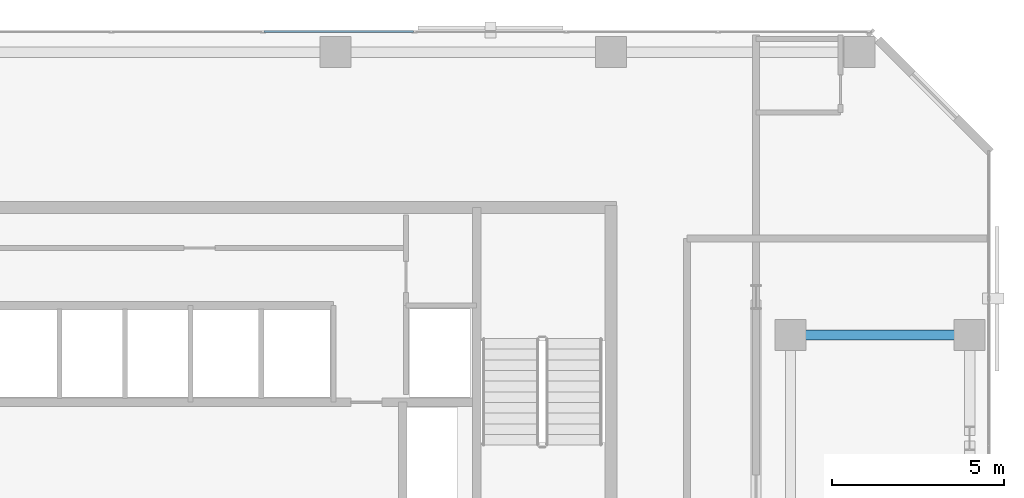
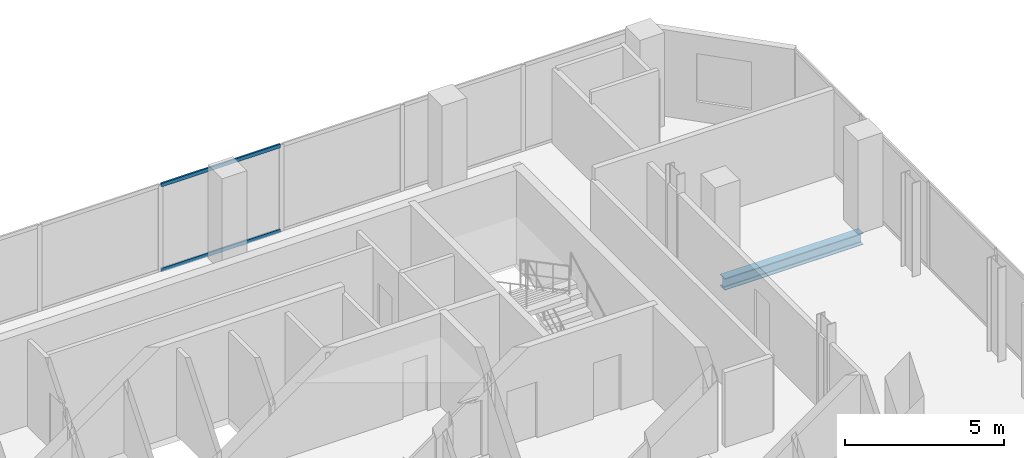
# One storey, part 23 of 33: 2 members, 1 beam, 1 element without a shape of its own.
"""IFC4 building model written with IfcOpenShell, lengths in metres."""

from ifc_helpers import new_model, si_unit, direction, frame, origin, origin_2d, place, context, subcontext, project, spatial, hollow_rectangle, i_section, extrude, material, layer, layer_set, material_profile, profile_set, type_object, element, aggregate, save


model = new_model("IFC4")

# Units and contexts
model_context = context("Model", 3, precision=1e-05, world=origin(), true_north=direction((0.0, 1.0)))
body_context = subcontext(model_context, "Body", "Model", "MODEL_VIEW")
ifc_project = project(units=[si_unit("LENGTHUNIT", "METRE"), si_unit("AREAUNIT", "SQUARE_METRE"), si_unit("VOLUMEUNIT", "CUBIC_METRE"), si_unit("PLANEANGLEUNIT", "RADIAN"), si_unit("MASSUNIT", "GRAM", prefix="KILO")], contexts=[model_context])

# Site, building, storey
site_placement = place(None, origin())
site = spatial("IfcSite", under=ifc_project, at=site_placement, CompositionType="ELEMENT")
building_placement = place(site_placement, origin())
building = spatial("IfcBuilding", under=site, at=building_placement, Name="Catumbela Crestline Tower", CompositionType="ELEMENT")
storey_placement = place(building_placement, frame((0.0, 0.0, 108.0)))
storey = spatial("IfcBuildingStorey", under=building, at=storey_placement, Name="L27", CompositionType="ELEMENT", Elevation=108.0)

# Beam
ifc_material_1 = material(Name="Structural steel S355J2", Category="steel")
ifc_material_profile_1 = material_profile(ifc_material_1, i_section(OverallWidth=0.3, OverallDepth=0.45, WebThickness=0.014, FlangeThickness=0.026, FilletRadius=0.027, at=origin_2d()), Name="HEB 450")
ifc_profile_set_1 = profile_set([ifc_material_profile_1], Name="Structural steel S355J2")
beam_type = type_object("IfcBeamType", Name="BG-HEB450", PredefinedType="BEAM", material=ifc_profile_set_1)
beam_placement = place(storey_placement, frame((45.28, 39.2, -0.485), z_axis=(1.0, 0.0, 0.0), x_axis=(0.0, 1.0, 0.0)))
element("IfcBeam", 1, at=beam_placement, inside=storey, type_object=beam_type, Name="L27 Beam BM-L27-N16", PredefinedType="BEAM", context=body_context, shape_type="SweptSolid", body=[
    extrude(i_section(OverallWidth=0.3, OverallDepth=0.45, WebThickness=0.014, FlangeThickness=0.026, FilletRadius=0.027, at=origin_2d()), origin(), (0.0, 0.0, 1.0), 5.04),
])

# Curtain wall, members
ifc_material_2 = material(Name="Aluminium alloy AW-6060-T66", Category="aluminium")
ifc_layer = layer(ifc_material_2, 0.18, Name="Aluminium alloy AW-6060-T66")
ifc_layer_set = layer_set([ifc_layer], Name="Aluminium alloy AW-6060-T66")
curtain_wall_type = type_object("IfcCurtainWallType", Name="CWU-Z2", PredefinedType="USERDEFINED", material=ifc_layer_set)
curtain_wall_placement = place(storey_placement, origin())
curtain_wall = element("IfcCurtainWall", 2, at=curtain_wall_placement, inside=storey, type_object=curtain_wall_type, Name="L27 Unitised Curtain Wall CW-L27-E7S1", ObjectType="UNITISED", PredefinedType="USERDEFINED")
ifc_material_profile_2 = material_profile(ifc_material_2, hollow_rectangle(XDim=0.06, YDim=0.14, WallThickness=0.004, at=origin_2d()), Name="ALU 140x60x4")
ifc_profile_set_2 = profile_set([ifc_material_profile_2], Name="Aluminium alloy AW-6060-T66")
member_type = type_object("IfcMemberType", Name="TRN-140X60", PredefinedType="USERDEFINED", material=ifc_profile_set_2)
member_1_placement = place(storey_placement, frame((34.2675, 48.0, 0.03), z_axis=(-1.0, 0.0, 0.0), x_axis=(0.0, -1.0, 0.0)))
member_1 = element("IfcMember", 3, at=member_1_placement, type_object=member_type, Name="CWU-Z2 transom 4.1", ObjectType="TRANSOM", PredefinedType="USERDEFINED", context=body_context, shape_type="SweptSolid", body=[
    extrude(hollow_rectangle(XDim=0.06, YDim=0.14, WallThickness=0.004, at=origin_2d()), origin(), (0.0, 0.0, 1.0), 4.335),
])
member_2_placement = place(storey_placement, frame((34.2675, 48.0, 3.3), z_axis=(-1.0, 0.0, 0.0), x_axis=(0.0, -1.0, 0.0)))
member_2 = element("IfcMember", 4, at=member_2_placement, type_object=member_type, Name="CWU-Z2 transom 4.2", ObjectType="TRANSOM", PredefinedType="USERDEFINED", context=body_context, shape_type="SweptSolid", body=[
    extrude(hollow_rectangle(XDim=0.06, YDim=0.14, WallThickness=0.004, at=origin_2d()), origin(), (0.0, 0.0, 1.0), 4.335),
])
aggregate(curtain_wall, [member_1, member_2])

save(model, "model.ifc")
